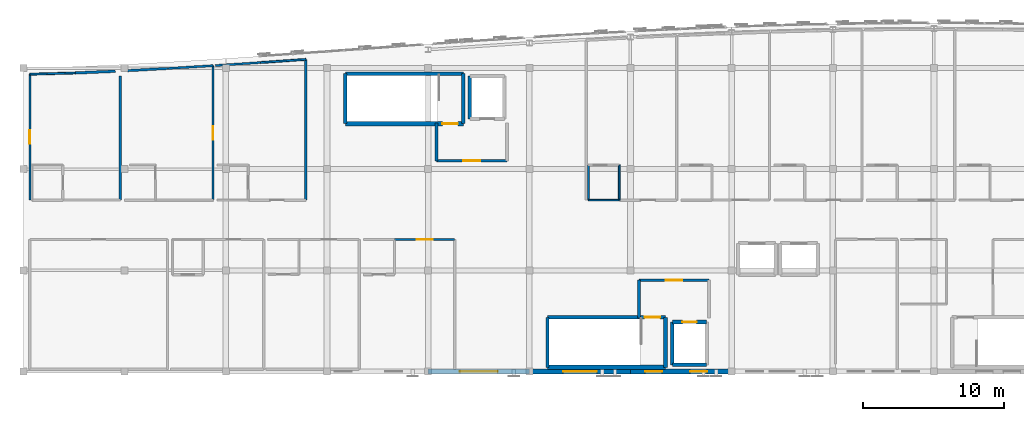
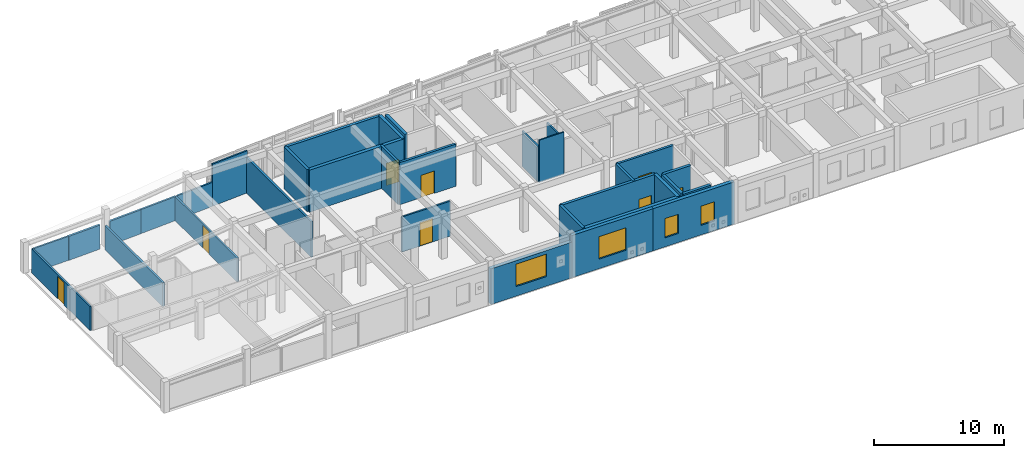
# One storey, part 20 of 24: 33 walls, 8 doors, 4 windows, 12 openings.
"""IFC4 building model written with IfcOpenShell, lengths in metres."""

from ifc_helpers import new_model, si_unit, direction, frame, frame_2d, origin, place, context, subcontext, project, spatial, rectangle, extrude, material, layer, layer_set, type_object, element, fill, save


model = new_model("IFC4")

# Units and contexts
model_context = context("Model", 3, precision=1e-05, world=origin(), true_north=direction((0.0, 1.0)))
body_context = subcontext(model_context, "Body", "Model", "MODEL_VIEW")
ifc_project = project(units=[si_unit("LENGTHUNIT", "METRE"), si_unit("AREAUNIT", "SQUARE_METRE"), si_unit("VOLUMEUNIT", "CUBIC_METRE"), si_unit("PLANEANGLEUNIT", "RADIAN"), si_unit("MASSUNIT", "GRAM", prefix="KILO")], contexts=[model_context])

# Site, building, storey
site_placement = place(None, origin())
site = spatial("IfcSite", under=ifc_project, at=site_placement, CompositionType="ELEMENT")
building_placement = place(site_placement, origin())
building = spatial("IfcBuilding", under=site, at=building_placement, Name="Carrowvane Square Congress Hotel", CompositionType="ELEMENT")
storey_placement = place(building_placement, frame((0.0, 0.0, 44.39990234375)))
storey = spatial("IfcBuildingStorey", under=building, at=storey_placement, Name="L11", CompositionType="ELEMENT", Elevation=44.39990234375)

# Wall, openings, windows
ifc_material_1 = material(Name="Glazed terracotta rainscreen", Category="masonry")
ifc_layer_1 = layer(ifc_material_1, 0.330078125)
ifc_layer_set_1 = layer_set([ifc_layer_1], Name="Glazed terracotta rainscreen")
wall_type_1 = type_object("IfcWallType", Name="WL-EXT-TC330", PredefinedType="STANDARD", material=ifc_layer_set_1)
wall_1_placement = place(storey_placement, frame((83.60009765625, 91.800048828125, 0.0), z_axis=(0.0, 0.0, 1.0), x_axis=(-1.0, 0.0, 0.0)))
wall_1 = element("IfcWall", 1, at=wall_1_placement, inside=storey, type_object=wall_type_1, Name="L11 exterior facade wall 611", PredefinedType="STANDARD", context=body_context, shape_type="SweptSolid", body=[
    extrude(rectangle(XDim=7.2001953125, YDim=0.330078125, at=frame_2d((3.60009765625, 0.0))), origin(), (0.0, 0.0, 1.0), 3.9501953125),
])
opening_1_placement = place(wall_1_placement, frame((1.75, 0.0, 0.89990234375)))
opening_1 = element("IfcOpeningElement", 2, at=opening_1_placement, cuts=wall_1, Name="Opening W-01", PredefinedType="OPENING", context=body_context, shape_type="SweptSolid", body=[
    extrude(rectangle(XDim=1.199951171875, YDim=1.800048828125, at=frame_2d((0.60009765625, 0.89990234375))), frame((0.0, 0.175048828125, 0.0), z_axis=(0.0, -1.0, 0.0), x_axis=(1.0, 0.0, 0.0)), (0.0, 0.0, 1.0), 0.35009765625),
])
opening_2_placement = place(wall_1_placement, frame((4.949951171875, 0.0, 0.85009765625)))
opening_2 = element("IfcOpeningElement", 3, at=opening_2_placement, cuts=wall_1, Name="Opening W-01", PredefinedType="OPENING", context=body_context, shape_type="SweptSolid", body=[
    extrude(rectangle(XDim=1.199951171875, YDim=1.800048828125, at=frame_2d((0.60009765625, 0.89990234375))), frame((0.0, 0.175048828125, 0.0), z_axis=(0.0, -1.0, 0.0), x_axis=(1.0, 0.0, 0.0)), (0.0, 0.0, 1.0), 0.35009765625),
])
ifc_material_2 = material(Name="Double-glazed low-E glass", Category="glass")
window_type_1 = type_object("IfcWindowType", Name="WIN-01", PartitioningType="SINGLE_PANEL", PredefinedType="WINDOW", material=ifc_material_2)
window_1_placement = place(opening_1_placement, origin())
window_1 = element("IfcWindow", 4, at=window_1_placement, inside=storey, type_object=window_type_1, Name="L11 facade window 510", OverallHeight=1.800048828125, OverallWidth=1.199951171875, PartitioningType="SINGLE_PANEL", PredefinedType="WINDOW", context=body_context, shape_type="SweptSolid", body=[
    extrude(rectangle(XDim=1.199951171875, YDim=1.800048828125, at=frame_2d((0.60009765625, 0.89990234375))), frame((0.0, 0.030029296875, 0.0), z_axis=(0.0, -1.0, 0.0), x_axis=(1.0, 0.0, 0.0)), (0.0, 0.0, 1.0), 0.06005859375),
])
fill(opening_1, window_1)
window_2_placement = place(opening_2_placement, origin())
window_2 = element("IfcWindow", 5, at=window_2_placement, inside=storey, type_object=window_type_1, Name="L11 guest bedroom window 511", OverallHeight=1.800048828125, OverallWidth=1.199951171875, PartitioningType="SINGLE_PANEL", PredefinedType="WINDOW", context=body_context, shape_type="SweptSolid", body=[
    extrude(rectangle(XDim=1.199951171875, YDim=1.800048828125, at=frame_2d((0.60009765625, 0.89990234375))), frame((0.0, 0.030029296875, 0.0), z_axis=(0.0, -1.0, 0.0), x_axis=(1.0, 0.0, 0.0)), (0.0, 0.0, 1.0), 0.06005859375),
])
fill(opening_2, window_2)

# Wall, opening, window
wall_2_placement = place(storey_placement, frame((76.39990234375, 91.800048828125, 0.0), z_axis=(0.0, 0.0, 1.0), x_axis=(-1.0, 0.0, 0.0)))
wall_2 = element("IfcWall", 6, at=wall_2_placement, inside=storey, type_object=wall_type_1, Name="L11 exterior facade wall 612", PredefinedType="STANDARD", context=body_context, shape_type="SweptSolid", body=[
    extrude(rectangle(XDim=7.199951171875, YDim=0.330078125, at=frame_2d((3.60009765625, 0.0))), origin(), (0.0, 0.0, 1.0), 3.9501953125),
])
opening_3_placement = place(wall_2_placement, frame((2.39990234375, 0.0, 0.89990234375)))
opening_3 = element("IfcOpeningElement", 7, at=opening_3_placement, cuts=wall_2, Name="Opening W-12", PredefinedType="OPENING", context=body_context, shape_type="SweptSolid", body=[
    extrude(rectangle(XDim=2.39990234375, YDim=2.10009765625, at=frame_2d((1.199951171875, 1.050048828125))), frame((0.0, 0.175048828125, 0.0), z_axis=(0.0, -1.0, 0.0), x_axis=(1.0, 0.0, 0.0)), (0.0, 0.0, 1.0), 0.35009765625),
])
ifc_material_3 = material(Name="Double-glazed low-E glass", Category="glass")
window_type_2 = type_object("IfcWindowType", Name="WIN-12", PartitioningType="SINGLE_PANEL", PredefinedType="WINDOW", material=ifc_material_3)
window_3_placement = place(opening_3_placement, origin())
window_3 = element("IfcWindow", 8, at=window_3_placement, inside=storey, type_object=window_type_2, Name="L11 facade window 512", OverallHeight=2.10009765625, OverallWidth=2.39990234375, PartitioningType="SINGLE_PANEL", PredefinedType="WINDOW", context=body_context, shape_type="SweptSolid", body=[
    extrude(rectangle(XDim=2.39990234375, YDim=2.10009765625, at=frame_2d((1.199951171875, 1.050048828125))), frame((0.0, 0.030029296875, 0.0), z_axis=(0.0, -1.0, 0.0), x_axis=(1.0, 0.0, 0.0)), (0.0, 0.0, 1.0), 0.06005859375),
])
fill(opening_3, window_3)

wall_3_placement = place(storey_placement, frame((69.199951171875, 91.800048828125, 0.0), z_axis=(0.0, 0.0, 1.0), x_axis=(-1.0, 0.0, 0.0)))
wall_3 = element("IfcWall", 9, at=wall_3_placement, inside=storey, type_object=wall_type_1, Name="L11 exterior facade wall 613", PredefinedType="STANDARD", context=body_context, shape_type="SweptSolid", body=[
    extrude(rectangle(XDim=7.199951171875, YDim=0.330078125, at=frame_2d((3.60009765625, 0.0))), origin(), (0.0, 0.0, 1.0), 3.335205078125),
])
opening_4_placement = place(wall_3_placement, frame((2.25, 0.0, 0.89990234375)))
opening_4 = element("IfcOpeningElement", 10, at=opening_4_placement, cuts=wall_3, Name="Opening W-13", PredefinedType="OPENING", context=body_context, shape_type="SweptSolid", body=[
    extrude(rectangle(XDim=2.699951171875, YDim=2.10009765625, at=frame_2d((1.35009765625, 1.050048828125))), frame((0.0, 0.175048828125, 0.0), z_axis=(0.0, -1.0, 0.0), x_axis=(1.0, 0.0, 0.0)), (0.0, 0.0, 1.0), 0.35009765625),
])
ifc_material_4 = material(Name="Double-glazed low-E glass", Category="glass")
window_type_3 = type_object("IfcWindowType", Name="WIN-13", PartitioningType="SINGLE_PANEL", PredefinedType="WINDOW", material=ifc_material_4)
window_4_placement = place(opening_4_placement, origin())
window_4 = element("IfcWindow", 11, at=window_4_placement, inside=storey, type_object=window_type_3, Name="L11 facade window 514", OverallHeight=2.10009765625, OverallWidth=2.699951171875, PartitioningType="SINGLE_PANEL", PredefinedType="WINDOW", context=body_context, shape_type="SweptSolid", body=[
    extrude(rectangle(XDim=2.699951171875, YDim=2.10009765625, at=frame_2d((1.35009765625, 1.050048828125))), frame((0.0, 0.030029296875, 0.0), z_axis=(0.0, -1.0, 0.0), x_axis=(1.0, 0.0, 0.0)), (0.0, 0.0, 1.0), 0.06005859375),
])
fill(opening_4, window_4)

# Walls
ifc_material_5 = material(Name="Acoustic gypsum board", Category="gypsum")
ifc_layer_2 = layer(ifc_material_5, 0.155029296875)
ifc_layer_set_2 = layer_set([ifc_layer_2], Name="Acoustic gypsum board")
wall_type_2 = type_object("IfcWallType", Name="WL-FIR-155", PredefinedType="PARTITIONING", material=ifc_layer_set_2)
wall_4_placement = place(storey_placement, frame((43.469970703125, 113.370849609375, 0.0), z_axis=(0.0, 0.0, 1.0), x_axis=(0.998137904351, 0.060997736819, 0.0)))
element("IfcWall", 12, at=wall_4_placement, inside=storey, type_object=wall_type_2, Name="L11 Parkview Suite 1105 partition", PredefinedType="PARTITIONING", context=body_context, shape_type="SweptSolid", body=[
    extrude(rectangle(XDim=3.22607421875, YDim=0.155029296875, at=frame_2d((1.613037109375, 0.0))), origin(), (0.0, 0.0, 1.0), 2.25),
])
ifc_material_6 = material(Name="Acoustic gypsum board", Category="gypsum")
ifc_layer_3 = layer(ifc_material_6, 0.169921875)
ifc_layer_set_3 = layer_set([ifc_layer_3], Name="Acoustic gypsum board")
wall_type_3 = type_object("IfcWallType", Name="WL-FIR-170", PredefinedType="PARTITIONING", material=ifc_layer_set_3)
wall_5_placement = place(storey_placement, frame((40.090087890625, 112.828369140625, 0.0), z_axis=(0.0, 0.0, 1.0), x_axis=(0.0, -1.0, 0.0)))
element("IfcWall", 13, at=wall_5_placement, inside=storey, type_object=wall_type_3, Name="L11 Parkview Suite 1104 partition", PredefinedType="PARTITIONING", context=body_context, shape_type="SweptSolid", body=[
    extrude(rectangle(XDim=8.828369140625, YDim=0.169921875, at=frame_2d((4.4140625, 0.0))), origin(), (0.0, 0.0, 1.0), 2.25),
])
wall_6_placement = place(storey_placement, frame((40.609375, 113.21533203125, 0.0), z_axis=(0.0, 0.0, 1.0), x_axis=(0.998525466616, 0.054285288234, 0.0)))
element("IfcWall", 14, at=wall_6_placement, inside=storey, type_object=wall_type_3, Name="L11 Parkview Suite 1105 partition", PredefinedType="PARTITIONING", context=body_context, shape_type="SweptSolid", body=[
    extrude(rectangle(XDim=2.86474609375, YDim=0.169921875, at=frame_2d((1.432373046875, 0.0))), origin(), (0.0, 0.0, 1.0), 2.25),
])
ifc_material_7 = material(Name="Acoustic gypsum board", Category="gypsum")
ifc_layer_4 = layer(ifc_material_7, 0.18505859375)
ifc_layer_set_4 = layer_set([ifc_layer_4], Name="Acoustic gypsum board")
wall_type_4 = type_object("IfcWallType", Name="WL-FIR-185", PredefinedType="PARTITIONING", material=ifc_layer_set_4)
wall_7_placement = place(storey_placement, frame((36.8701171875, 113.048828125, 0.0), z_axis=(0.0, 0.0, 1.0), x_axis=(0.999061139873, 0.043322497572, 0.0)))
element("IfcWall", 15, at=wall_7_placement, inside=storey, type_object=wall_type_4, Name="L11 Parkview Suite 1104 partition", PredefinedType="PARTITIONING", context=body_context, shape_type="SweptSolid", body=[
    extrude(rectangle(XDim=2.86279296875, YDim=0.18505859375, at=frame_2d((1.431396484375, 0.0))), origin(), (0.0, 0.0, 1.0), 2.25),
])
wall_8_placement = place(storey_placement, frame((53.2900390625, 114.014404296875, 0.0), z_axis=(0.0, 0.0, 1.0), x_axis=(0.0, -1.0, 0.0)))
element("IfcWall", 16, at=wall_8_placement, inside=storey, type_object=wall_type_4, Name="L11 Parkview Suite 1106 partition", PredefinedType="PARTITIONING", context=body_context, shape_type="SweptSolid", body=[
    extrude(rectangle(XDim=10.014404296875, YDim=0.18505859375, at=frame_2d((5.00732421875, 0.0))), origin(), (0.0, 0.0, 1.0), 3.335205078125),
])

# Wall, opening, door
ifc_material_8 = material(Name="Acoustic gypsum board", Category="gypsum")
ifc_layer_5 = layer(ifc_material_8, 0.205078125)
ifc_layer_set_5 = layer_set([ifc_layer_5], Name="Acoustic gypsum board")
wall_type_5 = type_object("IfcWallType", Name="WL-FIR-205", PredefinedType="PARTITIONING", material=ifc_layer_set_5)
wall_9_placement = place(storey_placement, frame((62.60009765625, 106.800048828125, 0.0), z_axis=(0.0, 0.0, 1.0), x_axis=(1.0, 0.0, 0.0)))
wall_9 = element("IfcWall", 17, at=wall_9_placement, inside=storey, type_object=wall_type_5, Name="L11 Firefighting Lobby C1 wall south", PredefinedType="PARTITIONING", context=body_context, shape_type="SweptSolid", body=[
    extrude(rectangle(XDim=5.0, YDim=0.205078125, at=frame_2d((2.5, 0.0))), origin(), (0.0, 0.0, 1.0), 3.9501953125),
])
opening_5_placement = place(wall_9_placement, frame((1.89990234375, 0.0, 0.0)))
opening_5 = element("IfcOpeningElement", 18, at=opening_5_placement, cuts=wall_9, Name="Opening FD-02", PredefinedType="OPENING", context=body_context, shape_type="SweptSolid", body=[
    extrude(rectangle(XDim=1.199951171875, YDim=2.10009765625, at=frame_2d((0.60009765625, 1.050048828125))), frame((0.0, 0.112548828125, 0.0), z_axis=(0.0, -1.0, 0.0), x_axis=(1.0, 0.0, 0.0)), (0.0, 0.0, 1.0), 0.22509765625),
])
ifc_material_9 = material(Name="European oak timber", Category="wood")
door_type_1 = type_object("IfcDoorType", Name="DR-FD60-1200x2100", OperationType="NOTDEFINED", PredefinedType="DOOR", material=ifc_material_9)
door_1_placement = place(opening_5_placement, origin())
door_1 = element("IfcDoor", 19, at=door_1_placement, inside=storey, type_object=door_type_1, Name="L11 Firefighting Lobby C1 entrance door", OperationType="SINGLE_SWING_RIGHT", OverallHeight=2.10009765625, OverallWidth=1.199951171875, PredefinedType="DOOR", context=body_context, shape_type="SweptSolid", body=[
    extrude(rectangle(XDim=1.199951171875, YDim=2.10009765625, at=frame_2d((0.60009765625, 1.050048828125))), frame((0.0, 0.02490234375, 0.0), z_axis=(0.0, -1.0, 0.0), x_axis=(1.0, 0.0, 0.0)), (0.0, 0.0, 1.0), 0.050048828125),
])
fill(opening_5, door_1)

# Wall
wall_10_placement = place(storey_placement, frame((62.60009765625, 109.5, 0.0), z_axis=(0.0, 0.0, 1.0), x_axis=(0.0, -1.0, 0.0)))
element("IfcWall", 20, at=wall_10_placement, inside=storey, type_object=wall_type_5, Name="L11 Firefighting Lobby C1 wall west", PredefinedType="PARTITIONING", context=body_context, shape_type="SweptSolid", body=[
    extrude(rectangle(XDim=2.699951171875, YDim=0.205078125, at=frame_2d((1.35009765625, 0.0))), origin(), (0.0, 0.0, 1.0), 3.9501953125),
])

# Wall, opening, door
wall_11_placement = place(storey_placement, frame((82.0, 98.300048828125, 0.0), z_axis=(0.0, 0.0, 1.0), x_axis=(-1.0, 0.0, 0.0)))
wall_11 = element("IfcWall", 21, at=wall_11_placement, inside=storey, type_object=wall_type_5, Name="L11 Firefighting Lobby C2 wall north", PredefinedType="PARTITIONING", context=body_context, shape_type="SweptSolid", body=[
    extrude(rectangle(XDim=5.0, YDim=0.205078125, at=frame_2d((2.5, 0.0))), origin(), (0.0, 0.0, 1.0), 3.9501953125),
])
opening_6_placement = place(wall_11_placement, frame((1.89990234375, 0.0, 0.0)))
opening_6 = element("IfcOpeningElement", 22, at=opening_6_placement, cuts=wall_11, Name="Opening FD-02", PredefinedType="OPENING", context=body_context, shape_type="SweptSolid", body=[
    extrude(rectangle(XDim=1.199951171875, YDim=2.10009765625, at=frame_2d((0.60009765625, 1.050048828125))), frame((0.0, 0.112548828125, 0.0), z_axis=(0.0, -1.0, 0.0), x_axis=(1.0, 0.0, 0.0)), (0.0, 0.0, 1.0), 0.22509765625),
])
door_2_placement = place(opening_6_placement, origin())
door_2 = element("IfcDoor", 23, at=door_2_placement, inside=storey, type_object=door_type_1, Name="L11 Firefighting Lobby C2 entrance door", OperationType="SINGLE_SWING_LEFT", OverallHeight=2.10009765625, OverallWidth=1.199951171875, PredefinedType="DOOR", context=body_context, shape_type="SweptSolid", body=[
    extrude(rectangle(XDim=1.199951171875, YDim=2.10009765625, at=frame_2d((0.60009765625, 1.050048828125))), frame((0.0, 0.02490234375, 0.0), z_axis=(0.0, -1.0, 0.0), x_axis=(1.0, 0.0, 0.0)), (0.0, 0.0, 1.0), 0.050048828125),
])
fill(opening_6, door_2)

# Walls
wall_12_placement = place(storey_placement, frame((77.0, 98.300048828125, 0.0), z_axis=(0.0, 0.0, 1.0), x_axis=(0.0, -1.0, 0.0)))
element("IfcWall", 24, at=wall_12_placement, inside=storey, type_object=wall_type_5, Name="L11 Firefighting Lobby C2 wall west", PredefinedType="PARTITIONING", context=body_context, shape_type="SweptSolid", body=[
    extrude(rectangle(XDim=2.699951171875, YDim=0.205078125, at=frame_2d((1.35009765625, 0.0))), origin(), (0.0, 0.0, 1.0), 3.9501953125),
])
ifc_material_10 = material(Name="Acoustic gypsum board", Category="gypsum")
ifc_layer_6 = layer(ifc_material_10, 0.117919921875)
ifc_layer_set_6 = layer_set([ifc_layer_6], Name="Acoustic gypsum board")
wall_type_6 = type_object("IfcWallType", Name="WL-PRT-118", PredefinedType="PARTITIONING", material=ifc_layer_set_6)
wall_13_placement = place(storey_placement, frame((75.60009765625, 104.0, 0.0), z_axis=(0.0, 0.0, 1.0), x_axis=(-1.0, 0.0, 0.0)))
element("IfcWall", 25, at=wall_13_placement, inside=storey, type_object=wall_type_6, Name="L11 En-suite Bathroom 1107 partition", PredefinedType="PARTITIONING", context=body_context, shape_type="SweptSolid", body=[
    extrude(rectangle(XDim=2.2001953125, YDim=0.117919921875, at=frame_2d((1.10009765625, 0.0))), origin(), (0.0, 0.0, 1.0), 3.9501953125),
])
ifc_material_11 = material(Name="Acoustic gypsum board", Category="gypsum")
ifc_layer_7 = layer(ifc_material_11, 0.1279296875)
ifc_layer_set_7 = layer_set([ifc_layer_7], Name="Acoustic gypsum board")
wall_type_7 = type_object("IfcWallType", Name="WL-PRT-128", PredefinedType="PARTITIONING", material=ifc_layer_set_7)
wall_14_placement = place(storey_placement, frame((75.60009765625, 106.5, 0.0), z_axis=(0.0, 0.0, 1.0), x_axis=(0.0, -1.0, 0.0)))
element("IfcWall", 26, at=wall_14_placement, inside=storey, type_object=wall_type_7, Name="L11 En-suite Bathroom 1107 partition", PredefinedType="PARTITIONING", context=body_context, shape_type="SweptSolid", body=[
    extrude(rectangle(XDim=2.5, YDim=0.1279296875, at=frame_2d((1.25, 0.0))), origin(), (0.0, 0.0, 1.0), 3.335205078125),
])
ifc_material_12 = material(Name="Acoustic gypsum board", Category="gypsum")
ifc_layer_8 = layer(ifc_material_12, 0.137939453125)
ifc_layer_set_8 = layer_set([ifc_layer_8], Name="Acoustic gypsum board")
wall_type_8 = type_object("IfcWallType", Name="WL-PRT-138", PredefinedType="PARTITIONING", material=ifc_layer_set_8)
wall_15_placement = place(storey_placement, frame((33.64990234375, 112.959716796875, 0.0), z_axis=(0.0, 0.0, 1.0), x_axis=(0.999617336708, 0.027661889909, 0.0)))
element("IfcWall", 27, at=wall_15_placement, inside=storey, type_object=wall_type_8, Name="L11 Parkview Suite 1104 partition", PredefinedType="PARTITIONING", context=body_context, shape_type="SweptSolid", body=[
    extrude(rectangle(XDim=3.221435546875, YDim=0.137939453125, at=frame_2d((1.61083984375, 0.0))), origin(), (0.0, 0.0, 1.0), 2.25),
])
wall_16_placement = place(storey_placement, frame((50.070068359375, 113.790283203125, 0.0), z_axis=(0.0, 0.0, 1.0), x_axis=(0.99758644543, 0.069435465684, 0.0)))
element("IfcWall", 28, at=wall_16_placement, inside=storey, type_object=wall_type_8, Name="L11 Parkview Suite 1106 partition", PredefinedType="PARTITIONING", context=body_context, shape_type="SweptSolid", body=[
    extrude(rectangle(XDim=3.227783203125, YDim=0.137939453125, at=frame_2d((1.61376953125, 0.0))), origin(), (0.0, 0.0, 1.0), 3.9501953125),
])

# Wall, opening, door
ifc_material_13 = material(Name="Acoustic gypsum board", Category="gypsum")
ifc_layer_9 = layer(ifc_material_13, 0.14794921875)
ifc_layer_set_9 = layer_set([ifc_layer_9], Name="Acoustic gypsum board")
wall_type_9 = type_object("IfcWallType", Name="WL-PRT-148", PredefinedType="PARTITIONING", material=ifc_layer_set_9)
wall_17_placement = place(storey_placement, frame((59.610107421875, 101.199951171875, 0.0), z_axis=(0.0, 0.0, 1.0), x_axis=(1.0, 0.0, 0.0)))
wall_17 = element("IfcWall", 29, at=wall_17_placement, inside=storey, type_object=wall_type_9, Name="L11 Hotel Suite 1103 partition", PredefinedType="PARTITIONING", context=body_context, shape_type="SweptSolid", body=[
    extrude(rectangle(XDim=4.27978515625, YDim=0.14794921875, at=frame_2d((2.139892578125, 0.0))), origin(), (0.0, 0.0, 1.0), 3.28515625),
])
opening_7_placement = place(wall_17_placement, frame((1.580078125, 0.0, 0.0)))
opening_7 = element("IfcOpeningElement", 30, at=opening_7_placement, cuts=wall_17, Name="Opening FD-10", PredefinedType="OPENING", context=body_context, shape_type="SweptSolid", body=[
    extrude(rectangle(XDim=1.1201171875, YDim=2.199951171875, at=frame_2d((0.56005859375, 1.10009765625))), frame((0.0, 0.083984375, 0.0), z_axis=(0.0, -1.0, 0.0), x_axis=(1.0, 0.0, 0.0)), (0.0, 0.0, 1.0), 0.16796875),
])
ifc_material_14 = material(Name="European oak timber", Category="wood")
door_type_2 = type_object("IfcDoorType", Name="DR-FD30-1120x2200", OperationType="NOTDEFINED", PredefinedType="DOOR", material=ifc_material_14)
door_3_placement = place(opening_7_placement, origin())
door_3 = element("IfcDoor", 31, at=door_3_placement, inside=storey, type_object=door_type_2, Name="L11 Hotel Suite 1103 entrance door", OperationType="SINGLE_SWING_LEFT", OverallHeight=2.199951171875, OverallWidth=1.1201171875, PredefinedType="DOOR", context=body_context, shape_type="SweptSolid", body=[
    extrude(rectangle(XDim=1.1201171875, YDim=2.199951171875, at=frame_2d((0.56005859375, 1.10009765625))), frame((0.0, 0.02490234375, 0.0), z_axis=(0.0, -1.0, 0.0), x_axis=(1.0, 0.0, 0.0)), (0.0, 0.0, 1.0), 0.050048828125),
])
fill(opening_7, door_3)

wall_18_placement = place(storey_placement, frame((33.64990234375, 104.0, 0.0), z_axis=(0.0, 0.0, 1.0), x_axis=(0.0, 1.0, 0.0)))
wall_18 = element("IfcWall", 32, at=wall_18_placement, inside=storey, type_object=wall_type_9, Name="L11 Parkview Suite 1104 partition", PredefinedType="PARTITIONING", context=body_context, shape_type="SweptSolid", body=[
    extrude(rectangle(XDim=8.959716796875, YDim=0.14794921875, at=frame_2d((4.47998046875, 0.0))), origin(), (0.0, 0.0, 1.0), 2.25),
])
opening_8_placement = place(wall_18_placement, frame((4.0048828125, 0.0, 0.0)))
opening_8 = element("IfcOpeningElement", 33, at=opening_8_placement, cuts=wall_18, Name="Opening FD-06", PredefinedType="OPENING", context=body_context, shape_type="SweptSolid", body=[
    extrude(rectangle(XDim=0.949951171875, YDim=2.10009765625, at=frame_2d((0.47509765625, 1.050048828125))), frame((0.0, 0.083984375, 0.0), z_axis=(0.0, -1.0, 0.0), x_axis=(1.0, 0.0, 0.0)), (0.0, 0.0, 1.0), 0.16796875),
])
ifc_material_15 = material(Name="European oak timber", Category="wood")
door_type_3 = type_object("IfcDoorType", Name="DR-FD30-0950x2100", OperationType="NOTDEFINED", PredefinedType="DOOR", material=ifc_material_15)
door_4_placement = place(opening_8_placement, origin())
door_4 = element("IfcDoor", 34, at=door_4_placement, inside=storey, type_object=door_type_3, Name="L11 Parkview Suite 1104 entrance door", OperationType="SINGLE_SWING_LEFT", OverallHeight=2.10009765625, OverallWidth=0.949951171875, PredefinedType="DOOR", context=body_context, shape_type="SweptSolid", body=[
    extrude(rectangle(XDim=0.949951171875, YDim=2.10009765625, at=frame_2d((0.47509765625, 1.050048828125))), frame((0.0, 0.02490234375, 0.0), z_axis=(0.0, -1.0, 0.0), x_axis=(1.0, 0.0, 0.0)), (0.0, 0.0, 1.0), 0.050048828125),
])
fill(opening_8, door_4)

wall_19_placement = place(storey_placement, frame((46.68994140625, 113.567626953125, 0.0), z_axis=(0.0, 0.0, 1.0), x_axis=(0.0, -1.0, 0.0)))
wall_19 = element("IfcWall", 35, at=wall_19_placement, inside=storey, type_object=wall_type_9, Name="L11 Parkview Suite 1105 partition", PredefinedType="PARTITIONING", context=body_context, shape_type="SweptSolid", body=[
    extrude(rectangle(XDim=9.567626953125, YDim=0.14794921875, at=frame_2d((4.78369140625, 0.0))), origin(), (0.0, 0.0, 1.0), 2.25),
])
opening_9_placement = place(wall_19_placement, frame((4.308837890625, 0.0, 0.0)))
opening_9 = element("IfcOpeningElement", 36, at=opening_9_placement, cuts=wall_19, Name="Opening FD-06", PredefinedType="OPENING", context=body_context, shape_type="SweptSolid", body=[
    extrude(rectangle(XDim=0.949951171875, YDim=2.10009765625, at=frame_2d((0.47509765625, 1.050048828125))), frame((0.0, 0.083984375, 0.0), z_axis=(0.0, -1.0, 0.0), x_axis=(1.0, 0.0, 0.0)), (0.0, 0.0, 1.0), 0.16796875),
])
door_5_placement = place(opening_9_placement, origin())
door_5 = element("IfcDoor", 37, at=door_5_placement, inside=storey, type_object=door_type_3, Name="L11 Parkview Suite 1105 entrance door", OperationType="SINGLE_SWING_LEFT", OverallHeight=2.10009765625, OverallWidth=0.949951171875, PredefinedType="DOOR", context=body_context, shape_type="SweptSolid", body=[
    extrude(rectangle(XDim=0.949951171875, YDim=2.10009765625, at=frame_2d((0.47509765625, 1.050048828125))), frame((0.0, 0.02490234375, 0.0), z_axis=(0.0, -1.0, 0.0), x_axis=(1.0, 0.0, 0.0)), (0.0, 0.0, 1.0), 0.050048828125),
])
fill(opening_9, door_5)

# Walls
wall_20_placement = place(storey_placement, frame((46.85009765625, 113.577880859375, 0.0), z_axis=(0.0, 0.0, 1.0), x_axis=(0.997831445724, 0.065821014313, 0.0)))
element("IfcWall", 38, at=wall_20_placement, inside=storey, type_object=wall_type_9, Name="L11 Parkview Suite 1106 partition", PredefinedType="PARTITIONING", context=body_context, shape_type="SweptSolid", body=[
    extrude(rectangle(XDim=3.22705078125, YDim=0.14794921875, at=frame_2d((1.613525390625, 0.0))), origin(), (0.0, 0.0, 1.0), 2.25),
])
wall_21_placement = place(storey_placement, frame((73.39990234375, 104.0, 0.0), z_axis=(0.0, 0.0, 1.0), x_axis=(0.0, 1.0, 0.0)))
element("IfcWall", 39, at=wall_21_placement, inside=storey, type_object=wall_type_9, Name="L11 En-suite Bathroom 1107 partition", PredefinedType="PARTITIONING", context=body_context, shape_type="SweptSolid", body=[
    extrude(rectangle(XDim=2.5, YDim=0.14794921875, at=frame_2d((1.25, 0.0))), origin(), (0.0, 0.0, 1.0), 3.335205078125),
])
ifc_material_16 = material(Name="Concrete C40/50", Category="concrete")
ifc_layer_10 = layer(ifc_material_16, 0.22509765625)
ifc_layer_set_10 = layer_set([ifc_layer_10], Name="Concrete C40/50")
wall_type_10 = type_object("IfcWallType", Name="WL-SHR-225", PredefinedType="SHEAR", material=ifc_layer_set_10)
wall_22_placement = place(storey_placement, frame((56.10009765625, 113.0, 0.0), z_axis=(0.0, 0.0, 1.0), x_axis=(0.0, -1.0, 0.0)))
element("IfcWall", 40, at=wall_22_placement, inside=storey, type_object=wall_type_10, Name="L11 ST1 core wall west", PredefinedType="SHEAR", context=body_context, shape_type="SweptSolid", body=[
    extrude(rectangle(XDim=3.56005859375, YDim=0.22509765625, at=frame_2d((1.780029296875, 0.0))), origin(), (0.0, 0.0, 1.0), 3.9501953125),
])
wall_23_placement = place(storey_placement, frame((70.5, 95.659912109375, 0.0), z_axis=(0.0, 0.0, 1.0), x_axis=(0.0, -1.0, 0.0)))
element("IfcWall", 41, at=wall_23_placement, inside=storey, type_object=wall_type_10, Name="L11 ST2 core wall west", PredefinedType="SHEAR", context=body_context, shape_type="SweptSolid", body=[
    extrude(rectangle(XDim=3.559814453125, YDim=0.22509765625, at=frame_2d((1.77978515625, 0.0))), origin(), (0.0, 0.0, 1.0), 3.9501953125),
])
ifc_material_17 = material(Name="Concrete C40/50", Category="concrete")
ifc_layer_11 = layer(ifc_material_17, 0.25)
ifc_layer_set_11 = layer_set([ifc_layer_11], Name="Concrete C40/50")
wall_type_11 = type_object("IfcWallType", Name="WL-SHR-250", PredefinedType="SHEAR", material=ifc_layer_set_11)
wall_24_placement = place(storey_placement, frame((64.5, 113.0, 0.0), z_axis=(0.0, 0.0, 1.0), x_axis=(-1.0, 0.0, 0.0)))
element("IfcWall", 42, at=wall_24_placement, inside=storey, type_object=wall_type_11, Name="L11 ST1 core wall north", PredefinedType="SHEAR", context=body_context, shape_type="SweptSolid", body=[
    extrude(rectangle(XDim=8.39990234375, YDim=0.25, at=frame_2d((4.199951171875, 0.0))), origin(), (0.0, 0.0, 1.0), 3.9501953125),
])

# Wall, opening, door
wall_25_placement = place(storey_placement, frame((78.89990234375, 95.659912109375, 0.0), z_axis=(0.0, 0.0, 1.0), x_axis=(-1.0, 0.0, 0.0)))
wall_25 = element("IfcWall", 43, at=wall_25_placement, inside=storey, type_object=wall_type_11, Name="L11 ST2 core wall north", PredefinedType="SHEAR", context=body_context, shape_type="SweptSolid", body=[
    extrude(rectangle(XDim=8.39990234375, YDim=0.25, at=frame_2d((4.199951171875, 0.0))), origin(), (0.0, 0.0, 1.0), 3.9501953125),
])
opening_10_placement = place(wall_25_placement, frame((0.389892578125, 0.0, 0.0)))
opening_10 = element("IfcOpeningElement", 44, at=opening_10_placement, cuts=wall_25, Name="Opening FD-01", PredefinedType="OPENING", context=body_context, shape_type="SweptSolid", body=[
    extrude(rectangle(XDim=1.10009765625, YDim=2.10009765625, at=frame_2d((0.550048828125, 1.050048828125))), frame((0.0, 0.135009765625, 0.0), z_axis=(0.0, -1.0, 0.0), x_axis=(1.0, 0.0, 0.0)), (0.0, 0.0, 1.0), 0.27001953125),
])
ifc_material_18 = material(Name="European oak timber", Category="wood")
door_type_4 = type_object("IfcDoorType", Name="DR-FD60-1100x2100", OperationType="NOTDEFINED", PredefinedType="DOOR", material=ifc_material_18)
door_6_placement = place(opening_10_placement, origin())
door_6 = element("IfcDoor", 45, at=door_6_placement, inside=storey, type_object=door_type_4, Name="L11 ST2 fire door", OperationType="SINGLE_SWING_RIGHT", OverallHeight=2.10009765625, OverallWidth=1.10009765625, PredefinedType="DOOR", context=body_context, shape_type="SweptSolid", body=[
    extrude(rectangle(XDim=1.10009765625, YDim=2.10009765625, at=frame_2d((0.550048828125, 1.050048828125))), frame((0.0, 0.02490234375, 0.0), z_axis=(0.0, -1.0, 0.0), x_axis=(1.0, 0.0, 0.0)), (0.0, 0.0, 1.0), 0.050048828125),
])
fill(opening_10, door_6)

# Walls
wall_26_placement = place(storey_placement, frame((64.97509765625, 112.824951171875, 0.0), z_axis=(0.0, 0.0, 1.0), x_axis=(0.0, -1.0, 0.0)))
element("IfcWall", 46, at=wall_26_placement, inside=storey, type_object=wall_type_11, Name="L11 FFL-1 shaft wall west", PredefinedType="SHEAR", context=body_context, shape_type="SweptSolid", body=[
    extrude(rectangle(XDim=3.050048828125, YDim=0.25, at=frame_2d((1.52490234375, 0.0))), origin(), (0.0, 0.0, 1.0), 3.9501953125),
])
wall_27_placement = place(storey_placement, frame((79.375, 92.27490234375, 0.0), z_axis=(0.0, 0.0, 1.0), x_axis=(1.0, 0.0, 0.0)))
element("IfcWall", 47, at=wall_27_placement, inside=storey, type_object=wall_type_11, Name="L11 FFL-2 shaft wall south", PredefinedType="SHEAR", context=body_context, shape_type="SweptSolid", body=[
    extrude(rectangle(XDim=2.449951171875, YDim=0.25, at=frame_2d((1.22509765625, 0.0))), origin(), (0.0, 0.0, 1.0), 3.9501953125),
])

# Wall, opening, door
wall_28_placement = place(storey_placement, frame((81.824951171875, 95.324951171875, 0.0), z_axis=(0.0, 0.0, 1.0), x_axis=(-1.0, 0.0, 0.0)))
wall_28 = element("IfcWall", 48, at=wall_28_placement, inside=storey, type_object=wall_type_11, Name="L11 FFL-2 shaft wall north", PredefinedType="SHEAR", context=body_context, shape_type="SweptSolid", body=[
    extrude(rectangle(XDim=2.449951171875, YDim=0.25, at=frame_2d((1.22509765625, 0.0))), origin(), (0.0, 0.0, 1.0), 3.9501953125),
])
opening_11_placement = place(wall_28_placement, frame((0.72509765625, 0.0, 0.0)))
opening_11 = element("IfcOpeningElement", 49, at=opening_11_placement, cuts=wall_28, Name="Opening LD-FFL-2", PredefinedType="OPENING", context=body_context, shape_type="SweptSolid", body=[
    extrude(rectangle(XDim=1.0, YDim=2.14990234375, at=frame_2d((0.5, 1.074951171875))), frame((0.0, 0.135009765625, 0.0), z_axis=(0.0, -1.0, 0.0), x_axis=(1.0, 0.0, 0.0)), (0.0, 0.0, 1.0), 0.27001953125),
])
ifc_material_19 = material(Name="Stainless steel 316", Category="steel")
door_type_5 = type_object("IfcDoorType", Name="DR-LD-1000x2150", OperationType="DOUBLE_DOOR_SLIDING", PredefinedType="DOOR", material=ifc_material_19)
door_7_placement = place(opening_11_placement, origin())
door_7 = element("IfcDoor", 50, at=door_7_placement, inside=storey, type_object=door_type_5, Name="L11 FFL-2 sliding lift landing door", OperationType="DOUBLE_DOOR_SLIDING", OverallHeight=2.14990234375, OverallWidth=1.0, PredefinedType="DOOR", context=body_context, shape_type="SweptSolid", body=[
    extrude(rectangle(XDim=1.0, YDim=2.14990234375, at=frame_2d((0.5, 1.074951171875))), frame((0.0, 0.02490234375, 0.0), z_axis=(0.0, -1.0, 0.0), x_axis=(1.0, 0.0, 0.0)), (0.0, 0.0, 1.0), 0.050048828125),
])
fill(opening_11, door_7)

# Walls
wall_29_placement = place(storey_placement, frame((79.375, 95.324951171875, 0.0), z_axis=(0.0, 0.0, 1.0), x_axis=(0.0, -1.0, 0.0)))
element("IfcWall", 51, at=wall_29_placement, inside=storey, type_object=wall_type_11, Name="L11 FFL-2 shaft wall west", PredefinedType="SHEAR", context=body_context, shape_type="SweptSolid", body=[
    extrude(rectangle(XDim=3.050048828125, YDim=0.25, at=frame_2d((1.52490234375, 0.0))), origin(), (0.0, 0.0, 1.0), 3.9501953125),
])
ifc_material_20 = material(Name="Concrete C40/50", Category="concrete")
ifc_layer_12 = layer(ifc_material_20, 0.27490234375)
ifc_layer_set_12 = layer_set([ifc_layer_12], Name="Concrete C40/50")
wall_type_12 = type_object("IfcWallType", Name="WL-SHR-275", PredefinedType="SHEAR", material=ifc_layer_set_12)
wall_30_placement = place(storey_placement, frame((64.5, 109.43994140625, 0.0), z_axis=(0.0, 0.0, 1.0), x_axis=(0.0, 1.0, 0.0)))
element("IfcWall", 52, at=wall_30_placement, inside=storey, type_object=wall_type_12, Name="L11 ST1 core wall east", PredefinedType="SHEAR", context=body_context, shape_type="SweptSolid", body=[
    extrude(rectangle(XDim=3.56005859375, YDim=0.27490234375, at=frame_2d((1.780029296875, 0.0))), origin(), (0.0, 0.0, 1.0), 3.9501953125),
])
wall_31_placement = place(storey_placement, frame((78.89990234375, 92.10009765625, 0.0), z_axis=(0.0, 0.0, 1.0), x_axis=(0.0, 1.0, 0.0)))
element("IfcWall", 53, at=wall_31_placement, inside=storey, type_object=wall_type_12, Name="L11 ST2 core wall east", PredefinedType="SHEAR", context=body_context, shape_type="SweptSolid", body=[
    extrude(rectangle(XDim=3.559814453125, YDim=0.27490234375, at=frame_2d((1.77978515625, 0.0))), origin(), (0.0, 0.0, 1.0), 3.9501953125),
])

# Wall, opening, door
ifc_material_21 = material(Name="Concrete C40/50", Category="concrete")
ifc_layer_13 = layer(ifc_material_21, 0.300048828125)
ifc_layer_set_13 = layer_set([ifc_layer_13], Name="Concrete C40/50")
wall_type_13 = type_object("IfcWallType", Name="WL-SHR-300", PredefinedType="SHEAR", material=ifc_layer_set_13)
wall_32_placement = place(storey_placement, frame((56.10009765625, 109.43994140625, 0.0), z_axis=(0.0, 0.0, 1.0), x_axis=(1.0, 0.0, 0.0)))
wall_32 = element("IfcWall", 54, at=wall_32_placement, inside=storey, type_object=wall_type_13, Name="L11 ST1 core wall south", PredefinedType="SHEAR", context=body_context, shape_type="SweptSolid", body=[
    extrude(rectangle(XDim=8.39990234375, YDim=0.300048828125, at=frame_2d((4.199951171875, 0.0))), origin(), (0.0, 0.0, 1.0), 3.9501953125),
])
opening_12_placement = place(wall_32_placement, frame((6.909912109375, 0.0, 0.0)))
opening_12 = element("IfcOpeningElement", 55, at=opening_12_placement, cuts=wall_32, Name="Opening FD-01", PredefinedType="OPENING", context=body_context, shape_type="SweptSolid", body=[
    extrude(rectangle(XDim=1.10009765625, YDim=2.10009765625, at=frame_2d((0.550048828125, 1.050048828125))), frame((0.0, 0.159912109375, 0.0), z_axis=(0.0, -1.0, 0.0), x_axis=(1.0, 0.0, 0.0)), (0.0, 0.0, 1.0), 0.320068359375),
])
door_8_placement = place(opening_12_placement, origin())
door_8 = element("IfcDoor", 56, at=door_8_placement, inside=storey, type_object=door_type_4, Name="L11 ST1 fire door", OperationType="SINGLE_SWING_LEFT", OverallHeight=2.10009765625, OverallWidth=1.10009765625, PredefinedType="DOOR", context=body_context, shape_type="SweptSolid", body=[
    extrude(rectangle(XDim=1.10009765625, YDim=2.10009765625, at=frame_2d((0.550048828125, 1.050048828125))), frame((0.0, 0.02490234375, 0.0), z_axis=(0.0, -1.0, 0.0), x_axis=(1.0, 0.0, 0.0)), (0.0, 0.0, 1.0), 0.050048828125),
])
fill(opening_12, door_8)

# Wall
wall_33_placement = place(storey_placement, frame((70.5, 92.10009765625, 0.0), z_axis=(0.0, 0.0, 1.0), x_axis=(1.0, 0.0, 0.0)))
element("IfcWall", 57, at=wall_33_placement, inside=storey, type_object=wall_type_13, Name="L11 ST2 core wall south", PredefinedType="SHEAR", context=body_context, shape_type="SweptSolid", body=[
    extrude(rectangle(XDim=8.39990234375, YDim=0.300048828125, at=frame_2d((4.199951171875, 0.0))), origin(), (0.0, 0.0, 1.0), 3.9501953125),
])

save(model, "model.ifc")
